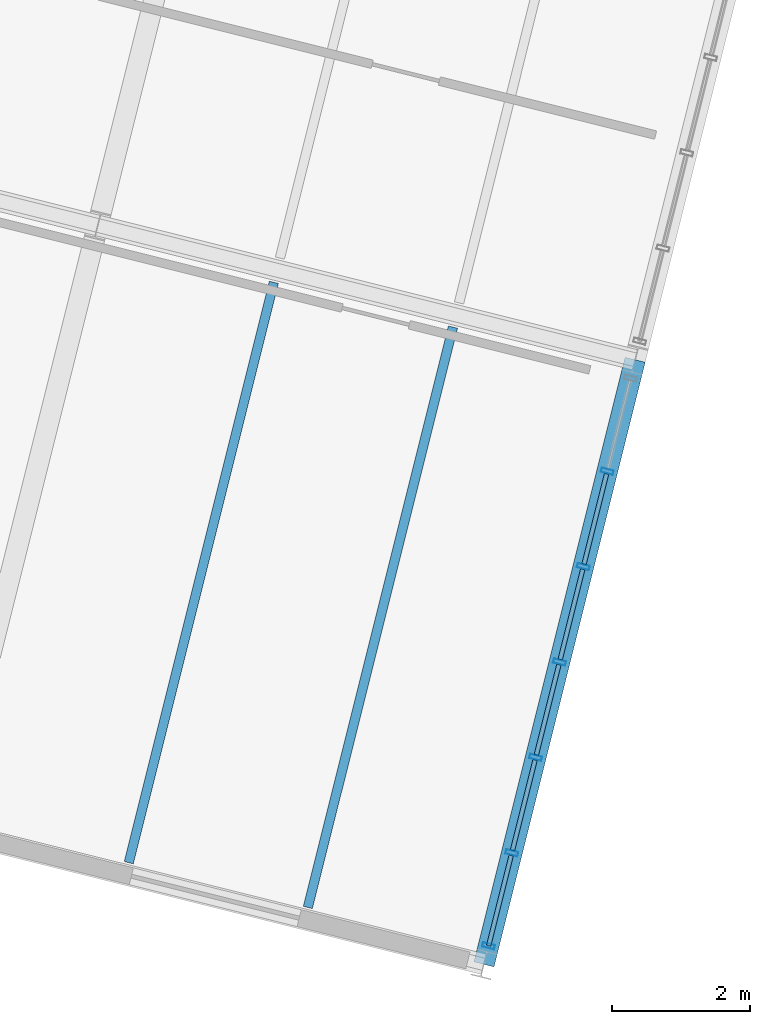
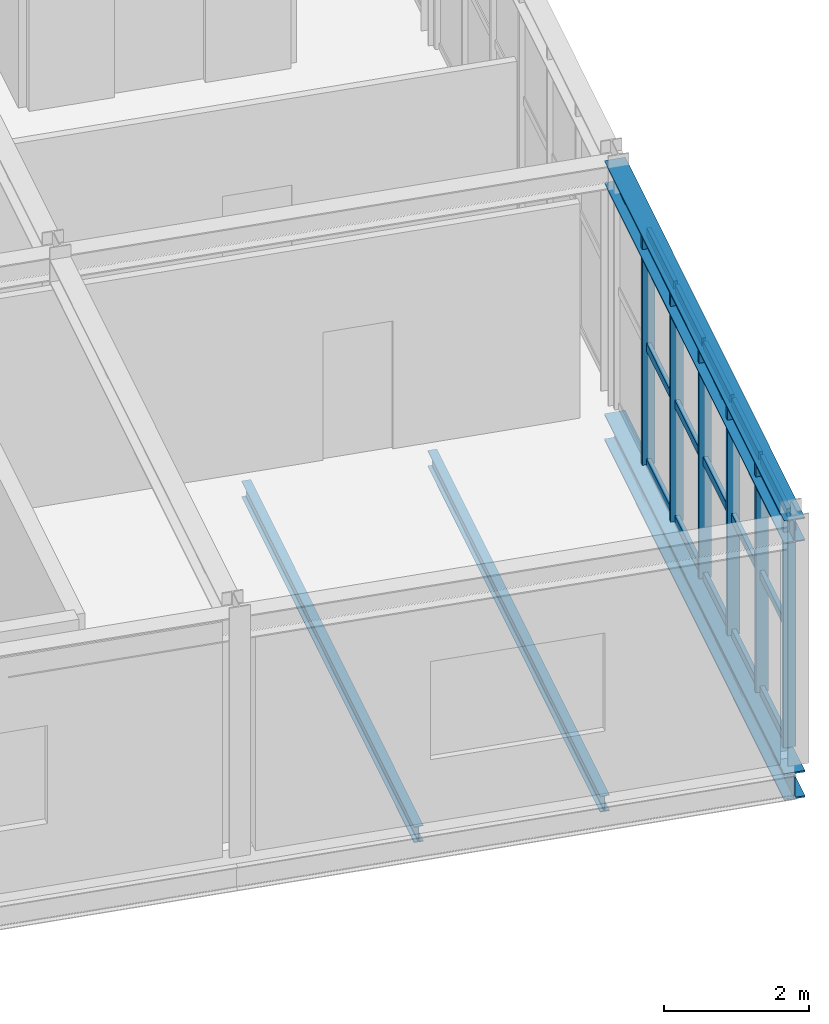
# One storey, part 10 of 30: 21 members, 4 beams, 1 element without a shape of its own.
"""IFC4 building model written with IfcOpenShell, lengths in metres."""

from ifc_helpers import new_model, si_unit, derived_unit, direction, frame, origin, origin_2d, place, context, subcontext, project, spatial, hollow_rectangle, i_section, extrude, material, material_profile, profile_set, type_object, element, aggregate, save


model = new_model("IFC4")

# Units and contexts
model_context = context("Model", 3, precision=1e-05, world=origin(), true_north=direction((0.0, 1.0)))
body_context = subcontext(model_context, "Body", "Model", "MODEL_VIEW")
ifc_project = project(units=[si_unit("LENGTHUNIT", "METRE"), si_unit("AREAUNIT", "SQUARE_METRE"), si_unit("VOLUMEUNIT", "CUBIC_METRE"), si_unit("PLANEANGLEUNIT", "RADIAN"), si_unit("MASSUNIT", "GRAM", prefix="KILO"), si_unit("THERMODYNAMICTEMPERATUREUNIT", "KELVIN"), si_unit("TIMEUNIT", "SECOND"), derived_unit("THERMALTRANSMITTANCEUNIT", [(si_unit("MASSUNIT", "GRAM", prefix="KILO"), 1), (si_unit("THERMODYNAMICTEMPERATUREUNIT", "KELVIN"), -1), (si_unit("TIMEUNIT", "SECOND"), -3)])], contexts=[model_context])

# Site, building, storey
site_placement = place(None, origin())
site = spatial("IfcSite", under=ifc_project, at=site_placement, CompositionType="ELEMENT")
building_placement = place(site_placement, origin())
building = spatial("IfcBuilding", under=site, at=building_placement, Name="Cambertide Market Hall", CompositionType="ELEMENT")
storey_placement = place(building_placement, frame((0.0, 0.0, 14.10009765625)))
storey = spatial("IfcBuildingStorey", under=building, at=storey_placement, Name="L04", CompositionType="ELEMENT", Elevation=14.10009765625)

# Curtain wall, members
ifc_material_1 = material(Name="Marine Anodized Aluminium 6063-T6 AA25", Category="aluminium")
curtain_wall_type = type_object("IfcCurtainWallType", Name="Cooking School Classroom Curtain Wall", PredefinedType="USERDEFINED", material=ifc_material_1)
curtain_wall_placement = place(storey_placement, origin())
curtain_wall = element("IfcCurtainWall", 1, at=curtain_wall_placement, inside=storey, type_object=curtain_wall_type, Name="Level 4 Curtain Wall CW-V4E-L04-1", ObjectType="UNITIZED CURTAIN WALL", PredefinedType="USERDEFINED")
ifc_material_2 = material(Name="Champagne Marine Anodized Aluminium 6063-T6 AA25", Category="aluminium")
ifc_material_profile_1 = material_profile(ifc_material_2, hollow_rectangle(XDim=0.06494140625, YDim=0.179931640625, WallThickness=0.00390625, at=origin_2d()), Name="ALU MULLION 65x180")
ifc_profile_set_1 = profile_set([ifc_material_profile_1], Name="Champagne Marine Anodized Aluminium 6063-T6 AA25")
member_type_1 = type_object("IfcMemberType", Name="Curtain Wall Mullion ALU MULLION 65x180", PredefinedType="MULLION", material=ifc_profile_set_1)
member_1_placement = place(storey_placement, frame((171.869384765625, 91.5986328125, 0.0), z_axis=(0.0, 0.0, 1.0), x_axis=(-0.242535569805, -0.970142513953, 0.0)))
member_1 = element("IfcMember", 2, at=member_1_placement, type_object=member_type_1, Name="CW-V4E-L04-1 Mullion 2", PredefinedType="MULLION", context=body_context, shape_type="SweptSolid", body=[
    extrude(hollow_rectangle(XDim=0.06494140625, YDim=0.179931640625, WallThickness=0.00390625, at=origin_2d()), origin(), (0.0, 0.0, 1.0), 3.9599609375),
])
member_2_placement = place(storey_placement, frame((171.52490234375, 90.220947265625, 0.0), z_axis=(0.0, 0.0, 1.0), x_axis=(-0.242535569805, -0.970142513953, 0.0)))
member_2 = element("IfcMember", 3, at=member_2_placement, type_object=member_type_1, Name="CW-V4E-L04-1 Mullion 3", PredefinedType="MULLION", context=body_context, shape_type="SweptSolid", body=[
    extrude(hollow_rectangle(XDim=0.06494140625, YDim=0.179931640625, WallThickness=0.00390625, at=origin_2d()), origin(), (0.0, 0.0, 1.0), 3.9599609375),
])
member_3_placement = place(storey_placement, frame((171.180419921875, 88.84326171875, 0.0), z_axis=(0.0, 0.0, 1.0), x_axis=(-0.242535569805, -0.970142513953, 0.0)))
member_3 = element("IfcMember", 4, at=member_3_placement, type_object=member_type_1, Name="CW-V4E-L04-1 Mullion 4", PredefinedType="MULLION", context=body_context, shape_type="SweptSolid", body=[
    extrude(hollow_rectangle(XDim=0.06494140625, YDim=0.179931640625, WallThickness=0.00390625, at=origin_2d()), origin(), (0.0, 0.0, 1.0), 3.9599609375),
])
member_4_placement = place(storey_placement, frame((170.836181640625, 87.4658203125, 0.0), z_axis=(0.0, 0.0, 1.0), x_axis=(-0.242535569805, -0.970142513953, 0.0)))
member_4 = element("IfcMember", 5, at=member_4_placement, type_object=member_type_1, Name="CW-V4E-L04-1 Mullion 5", PredefinedType="MULLION", context=body_context, shape_type="SweptSolid", body=[
    extrude(hollow_rectangle(XDim=0.06494140625, YDim=0.179931640625, WallThickness=0.00390625, at=origin_2d()), origin(), (0.0, 0.0, 1.0), 3.9599609375),
])
member_5_placement = place(storey_placement, frame((170.49169921875, 86.088134765625, 0.0), z_axis=(0.0, 0.0, 1.0), x_axis=(-0.242535569805, -0.970142513953, 0.0)))
member_5 = element("IfcMember", 6, at=member_5_placement, type_object=member_type_1, Name="CW-V4E-L04-1 Mullion 6", PredefinedType="MULLION", context=body_context, shape_type="SweptSolid", body=[
    extrude(hollow_rectangle(XDim=0.06494140625, YDim=0.179931640625, WallThickness=0.00390625, at=origin_2d()), origin(), (0.0, 0.0, 1.0), 3.9599609375),
])
member_6_placement = place(storey_placement, frame((170.15576171875, 84.74462890625, 0.0), z_axis=(0.0, 0.0, 1.0), x_axis=(-0.242535569805, -0.970142513953, 0.0)))
member_6 = element("IfcMember", 7, at=member_6_placement, type_object=member_type_1, Name="CW-V4E-L04-1 Mullion 7", PredefinedType="MULLION", context=body_context, shape_type="SweptSolid", body=[
    extrude(hollow_rectangle(XDim=0.06494140625, YDim=0.179931640625, WallThickness=0.00390625, at=origin_2d()), origin(), (0.0, 0.0, 1.0), 3.9599609375),
])
ifc_material_3 = material(Name="Champagne Marine Anodized Aluminium 6063-T6 AA25", Category="aluminium")
ifc_material_profile_2 = material_profile(ifc_material_3, hollow_rectangle(XDim=0.06494140625, YDim=0.139892578125, WallThickness=0.00341796875, at=origin_2d()), Name="ALU TRANSOM 65x140")
ifc_profile_set_2 = profile_set([ifc_material_profile_2], Name="Champagne Marine Anodized Aluminium 6063-T6 AA25")
member_type_2 = type_object("IfcMemberType", Name="Curtain Wall Transom ALU TRANSOM 65x140", PredefinedType="USERDEFINED", material=ifc_profile_set_2)
member_7_placement = place(storey_placement, frame((171.859619140625, 91.559814453125, 0.034912109375), z_axis=(-0.242492756941, -0.970153216163, 0.0), x_axis=(0.970153216163, -0.242492756941, 0.0)))
member_7 = element("IfcMember", 8, at=member_7_placement, type_object=member_type_2, Name="CW-V4E-L04-1 Transom 1-2", ObjectType="TRANSOM", PredefinedType="USERDEFINED", context=body_context, shape_type="SweptSolid", body=[
    extrude(hollow_rectangle(XDim=0.06494140625, YDim=0.139892578125, WallThickness=0.00341796875, at=origin_2d()), origin(), (0.0, 0.0, 1.0), 1.340087890625),
])
member_8_placement = place(storey_placement, frame((171.51513671875, 90.18212890625, 0.034912109375), z_axis=(-0.242492756941, -0.970153216163, 0.0), x_axis=(0.970153216163, -0.242492756941, 0.0)))
member_8 = element("IfcMember", 9, at=member_8_placement, type_object=member_type_2, Name="CW-V4E-L04-1 Transom 1-3", ObjectType="TRANSOM", PredefinedType="USERDEFINED", context=body_context, shape_type="SweptSolid", body=[
    extrude(hollow_rectangle(XDim=0.06494140625, YDim=0.139892578125, WallThickness=0.00341796875, at=origin_2d()), origin(), (0.0, 0.0, 1.0), 1.340087890625),
])
member_9_placement = place(storey_placement, frame((171.1708984375, 88.804443359375, 0.034912109375), z_axis=(-0.242535625036, -0.970142500145, 0.0), x_axis=(0.970142500145, -0.242535625036, 0.0)))
member_9 = element("IfcMember", 10, at=member_9_placement, type_object=member_type_2, Name="CW-V4E-L04-1 Transom 1-4", ObjectType="TRANSOM", PredefinedType="USERDEFINED", context=body_context, shape_type="SweptSolid", body=[
    extrude(hollow_rectangle(XDim=0.06494140625, YDim=0.139892578125, WallThickness=0.00341796875, at=origin_2d()), origin(), (0.0, 0.0, 1.0), 1.33984375),
])
member_10_placement = place(storey_placement, frame((170.826416015625, 87.427001953125, 0.034912109375), z_axis=(-0.242492756941, -0.970153216163, 0.0), x_axis=(0.970153216163, -0.242492756941, 0.0)))
member_10 = element("IfcMember", 11, at=member_10_placement, type_object=member_type_2, Name="CW-V4E-L04-1 Transom 1-5", ObjectType="TRANSOM", PredefinedType="USERDEFINED", context=body_context, shape_type="SweptSolid", body=[
    extrude(hollow_rectangle(XDim=0.06494140625, YDim=0.139892578125, WallThickness=0.00341796875, at=origin_2d()), origin(), (0.0, 0.0, 1.0), 1.340087890625),
])
member_11_placement = place(storey_placement, frame((170.48193359375, 86.04931640625, 0.034912109375), z_axis=(-0.242492756941, -0.970153216163, 0.0), x_axis=(0.970153216163, -0.242492756941, 0.0)))
member_11 = element("IfcMember", 12, at=member_11_placement, type_object=member_type_2, Name="CW-V4E-L04-1 Transom 1-6", ObjectType="TRANSOM", PredefinedType="USERDEFINED", context=body_context, shape_type="SweptSolid", body=[
    extrude(hollow_rectangle(XDim=0.06494140625, YDim=0.139892578125, WallThickness=0.00341796875, at=origin_2d()), origin(), (0.0, 0.0, 1.0), 1.340087890625),
])
member_12_placement = place(storey_placement, frame((171.859619140625, 91.559814453125, 1.97998046875), z_axis=(-0.242492756941, -0.970153216163, 0.0), x_axis=(0.970153216163, -0.242492756941, 0.0)))
member_12 = element("IfcMember", 13, at=member_12_placement, type_object=member_type_2, Name="CW-V4E-L04-1 Transom 2-2", ObjectType="TRANSOM", PredefinedType="USERDEFINED", context=body_context, shape_type="SweptSolid", body=[
    extrude(hollow_rectangle(XDim=0.06494140625, YDim=0.139892578125, WallThickness=0.00341796875, at=origin_2d()), origin(), (0.0, 0.0, 1.0), 1.340087890625),
])
member_13_placement = place(storey_placement, frame((171.51513671875, 90.18212890625, 1.97998046875), z_axis=(-0.242492756941, -0.970153216163, 0.0), x_axis=(0.970153216163, -0.242492756941, 0.0)))
member_13 = element("IfcMember", 14, at=member_13_placement, type_object=member_type_2, Name="CW-V4E-L04-1 Transom 2-3", ObjectType="TRANSOM", PredefinedType="USERDEFINED", context=body_context, shape_type="SweptSolid", body=[
    extrude(hollow_rectangle(XDim=0.06494140625, YDim=0.139892578125, WallThickness=0.00341796875, at=origin_2d()), origin(), (0.0, 0.0, 1.0), 1.340087890625),
])
member_14_placement = place(storey_placement, frame((171.1708984375, 88.804443359375, 1.97998046875), z_axis=(-0.242535625036, -0.970142500145, 0.0), x_axis=(0.970142500145, -0.242535625036, 0.0)))
member_14 = element("IfcMember", 15, at=member_14_placement, type_object=member_type_2, Name="CW-V4E-L04-1 Transom 2-4", ObjectType="TRANSOM", PredefinedType="USERDEFINED", context=body_context, shape_type="SweptSolid", body=[
    extrude(hollow_rectangle(XDim=0.06494140625, YDim=0.139892578125, WallThickness=0.00341796875, at=origin_2d()), origin(), (0.0, 0.0, 1.0), 1.33984375),
])
member_15_placement = place(storey_placement, frame((170.826416015625, 87.427001953125, 1.97998046875), z_axis=(-0.242492756941, -0.970153216163, 0.0), x_axis=(0.970153216163, -0.242492756941, 0.0)))
member_15 = element("IfcMember", 16, at=member_15_placement, type_object=member_type_2, Name="CW-V4E-L04-1 Transom 2-5", ObjectType="TRANSOM", PredefinedType="USERDEFINED", context=body_context, shape_type="SweptSolid", body=[
    extrude(hollow_rectangle(XDim=0.06494140625, YDim=0.139892578125, WallThickness=0.00341796875, at=origin_2d()), origin(), (0.0, 0.0, 1.0), 1.340087890625),
])
member_16_placement = place(storey_placement, frame((170.48193359375, 86.04931640625, 1.97998046875), z_axis=(-0.242492756941, -0.970153216163, 0.0), x_axis=(0.970153216163, -0.242492756941, 0.0)))
member_16 = element("IfcMember", 17, at=member_16_placement, type_object=member_type_2, Name="CW-V4E-L04-1 Transom 2-6", ObjectType="TRANSOM", PredefinedType="USERDEFINED", context=body_context, shape_type="SweptSolid", body=[
    extrude(hollow_rectangle(XDim=0.06494140625, YDim=0.139892578125, WallThickness=0.00341796875, at=origin_2d()), origin(), (0.0, 0.0, 1.0), 1.340087890625),
])
member_17_placement = place(storey_placement, frame((171.859619140625, 91.559814453125, 3.9248046875), z_axis=(-0.242492756941, -0.970153216163, 0.0), x_axis=(0.970153216163, -0.242492756941, 0.0)))
member_17 = element("IfcMember", 18, at=member_17_placement, type_object=member_type_2, Name="CW-V4E-L04-1 Transom 3-2", ObjectType="TRANSOM", PredefinedType="USERDEFINED", context=body_context, shape_type="SweptSolid", body=[
    extrude(hollow_rectangle(XDim=0.06494140625, YDim=0.139892578125, WallThickness=0.00341796875, at=origin_2d()), origin(), (0.0, 0.0, 1.0), 1.340087890625),
])
member_18_placement = place(storey_placement, frame((171.51513671875, 90.18212890625, 3.9248046875), z_axis=(-0.242492756941, -0.970153216163, 0.0), x_axis=(0.970153216163, -0.242492756941, 0.0)))
member_18 = element("IfcMember", 19, at=member_18_placement, type_object=member_type_2, Name="CW-V4E-L04-1 Transom 3-3", ObjectType="TRANSOM", PredefinedType="USERDEFINED", context=body_context, shape_type="SweptSolid", body=[
    extrude(hollow_rectangle(XDim=0.06494140625, YDim=0.139892578125, WallThickness=0.00341796875, at=origin_2d()), origin(), (0.0, 0.0, 1.0), 1.340087890625),
])
member_19_placement = place(storey_placement, frame((171.1708984375, 88.804443359375, 3.9248046875), z_axis=(-0.242535625036, -0.970142500145, 0.0), x_axis=(0.970142500145, -0.242535625036, 0.0)))
member_19 = element("IfcMember", 20, at=member_19_placement, type_object=member_type_2, Name="CW-V4E-L04-1 Transom 3-4", ObjectType="TRANSOM", PredefinedType="USERDEFINED", context=body_context, shape_type="SweptSolid", body=[
    extrude(hollow_rectangle(XDim=0.06494140625, YDim=0.139892578125, WallThickness=0.00341796875, at=origin_2d()), origin(), (0.0, 0.0, 1.0), 1.33984375),
])
member_20_placement = place(storey_placement, frame((170.826416015625, 87.427001953125, 3.9248046875), z_axis=(-0.242492756941, -0.970153216163, 0.0), x_axis=(0.970153216163, -0.242492756941, 0.0)))
member_20 = element("IfcMember", 21, at=member_20_placement, type_object=member_type_2, Name="CW-V4E-L04-1 Transom 3-5", ObjectType="TRANSOM", PredefinedType="USERDEFINED", context=body_context, shape_type="SweptSolid", body=[
    extrude(hollow_rectangle(XDim=0.06494140625, YDim=0.139892578125, WallThickness=0.00341796875, at=origin_2d()), origin(), (0.0, 0.0, 1.0), 1.340087890625),
])
member_21_placement = place(storey_placement, frame((170.48193359375, 86.04931640625, 3.9248046875), z_axis=(-0.242492756941, -0.970153216163, 0.0), x_axis=(0.970153216163, -0.242492756941, 0.0)))
member_21 = element("IfcMember", 22, at=member_21_placement, type_object=member_type_2, Name="CW-V4E-L04-1 Transom 3-6", ObjectType="TRANSOM", PredefinedType="USERDEFINED", context=body_context, shape_type="SweptSolid", body=[
    extrude(hollow_rectangle(XDim=0.06494140625, YDim=0.139892578125, WallThickness=0.00341796875, at=origin_2d()), origin(), (0.0, 0.0, 1.0), 1.340087890625),
])
aggregate(curtain_wall, [member_1, member_2, member_3, member_4, member_5, member_6, member_7, member_8, member_9, member_10, member_11, member_12, member_13, member_14, member_15, member_16, member_17, member_18, member_19, member_20, member_21])

# Beams
ifc_material_4 = material(Name="Steel S355", Category="steel")
ifc_material_profile_3 = material_profile(ifc_material_4, i_section(OverallWidth=0.300048828125, OverallDepth=0.389892578125, WebThickness=0.010986328125, FlangeThickness=0.01904296875, FilletRadius=0.027099609375, at=origin_2d()), Name="HEA 400")
ifc_profile_set_3 = profile_set([ifc_material_profile_3], Name="Steel S355")
beam_type_1 = type_object("IfcBeamType", Name="Exterior Steel Girder HEA 400", PredefinedType="BEAM", material=ifc_profile_set_3)
beam_1_placement = place(storey_placement, frame((170.089111328125, 84.477783203125, 3.804931640625), z_axis=(0.242542007841, 0.970140904422, 0.0), x_axis=(-0.970140904422, 0.242542007841, 0.0)))
element("IfcBeam", 23, at=beam_1_placement, inside=storey, type_object=beam_type_1, Name="Level 4 Beam BM-V4V-RF-9-1", PredefinedType="BEAM", context=body_context, shape_type="SweptSolid", body=[
    extrude(i_section(OverallWidth=0.300048828125, OverallDepth=0.389892578125, WebThickness=0.010986328125, FlangeThickness=0.01904296875, FilletRadius=0.027099609375, at=origin_2d()), origin(), (0.0, 0.0, 1.0), 9.0),
])
ifc_material_5 = material(Name="Steel S355", Category="steel")
ifc_material_profile_4 = material_profile(ifc_material_5, i_section(OverallWidth=0.300048828125, OverallDepth=0.449951171875, WebThickness=0.013916015625, FlangeThickness=0.02587890625, FilletRadius=0.027099609375, at=origin_2d()), Name="HEB 450")
ifc_profile_set_4 = profile_set([ifc_material_profile_4], Name="Steel S355")
beam_type_2 = type_object("IfcBeamType", Name="Steel Girder HEB 450", PredefinedType="BEAM", material=ifc_profile_set_4)
beam_2_placement = place(storey_placement, frame((170.089111328125, 84.477783203125, -0.47998046875), z_axis=(0.242542007841, 0.970140904422, 0.0), x_axis=(-0.970140904422, 0.242542007841, 0.0)))
element("IfcBeam", 24, at=beam_2_placement, inside=storey, type_object=beam_type_2, Name="Level 4 Beam BM-V4V-L04-9-1", PredefinedType="BEAM", context=body_context, shape_type="SweptSolid", body=[
    extrude(i_section(OverallWidth=0.300048828125, OverallDepth=0.449951171875, WebThickness=0.013916015625, FlangeThickness=0.02587890625, FilletRadius=0.027099609375, at=origin_2d()), origin(), (0.0, 0.0, 1.0), 9.0),
])
ifc_material_6 = material(Name="Steel S275", Category="steel")
ifc_material_profile_5 = material_profile(ifc_material_6, i_section(OverallWidth=0.135009765625, OverallDepth=0.27001953125, WebThickness=0.006591796875, FlangeThickness=0.01025390625, FilletRadius=0.014892578125, at=origin_2d()), Name="IPE 270")
ifc_profile_set_5 = profile_set([ifc_material_profile_5], Name="Steel S275")
beam_type_3 = type_object("IfcBeamType", Name="Steel Secondary Joist IPE 270", PredefinedType="JOIST", material=ifc_profile_set_5)
for number, where, z_axis, x_axis, name in (
    (25, (164.958740234375, 85.94580078125, -0.39013671875), (0.242528976348, 0.970144162293, 0.0), (-0.970144162293, 0.242528976348, 0.0), "Level 4 Joist JS-V4-L04-8-1-1"),
    (26, (167.545654296875, 85.299072265625, -0.39013671875), (0.242555570896, 0.970137513463, 0.0), (-0.970137513463, 0.242555570896, 0.0), "Level 4 Joist JS-V4-L04-8-1-2"),
):
    element("IfcBeam", number, at=place(storey_placement, frame(where, z_axis=z_axis, x_axis=x_axis)), inside=storey, type_object=beam_type_3, Name=name, PredefinedType="JOIST", context=body_context, shape_type="SweptSolid", body=[
        extrude(i_section(OverallWidth=0.135009765625, OverallDepth=0.27001953125, WebThickness=0.006591796875, FlangeThickness=0.01025390625, FilletRadius=0.014892578125, at=origin_2d()), origin(), (0.0, 0.0, 1.0), 8.64013671875),
    ])

save(model, "model.ifc")
